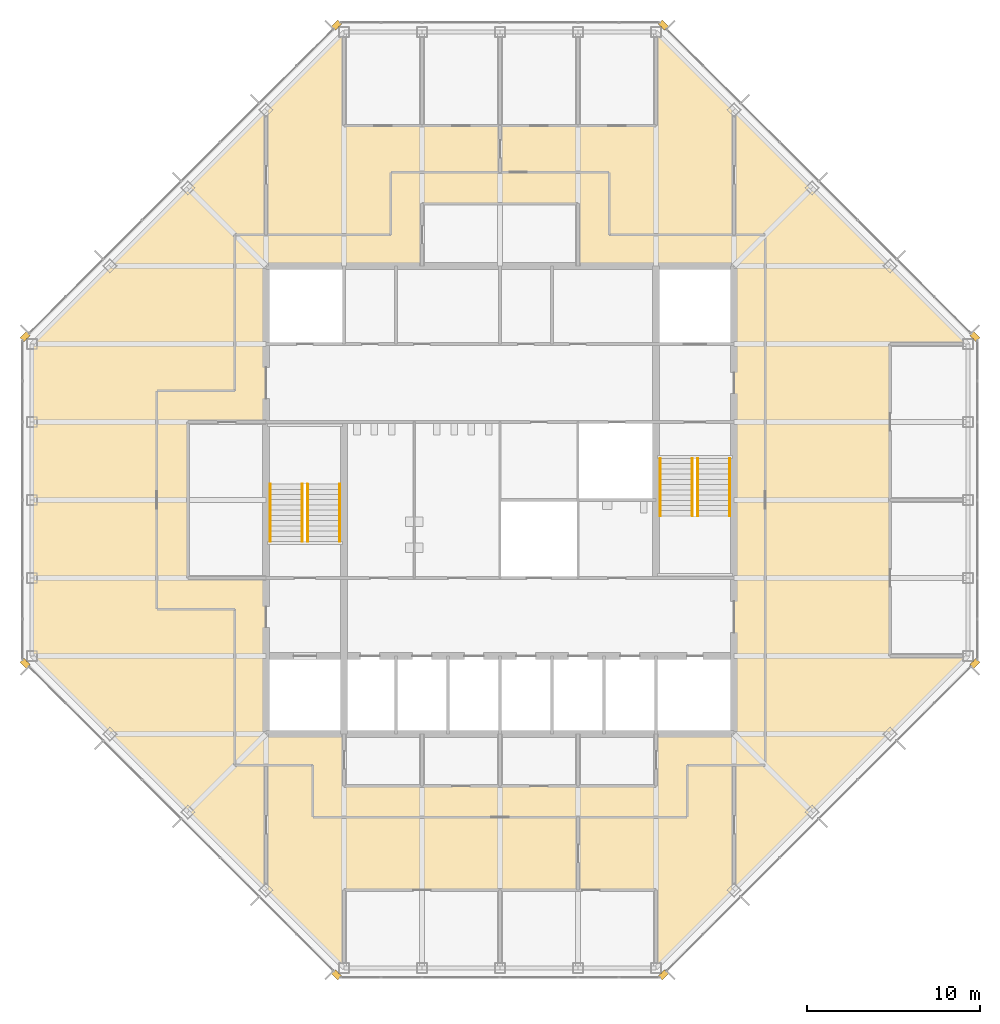
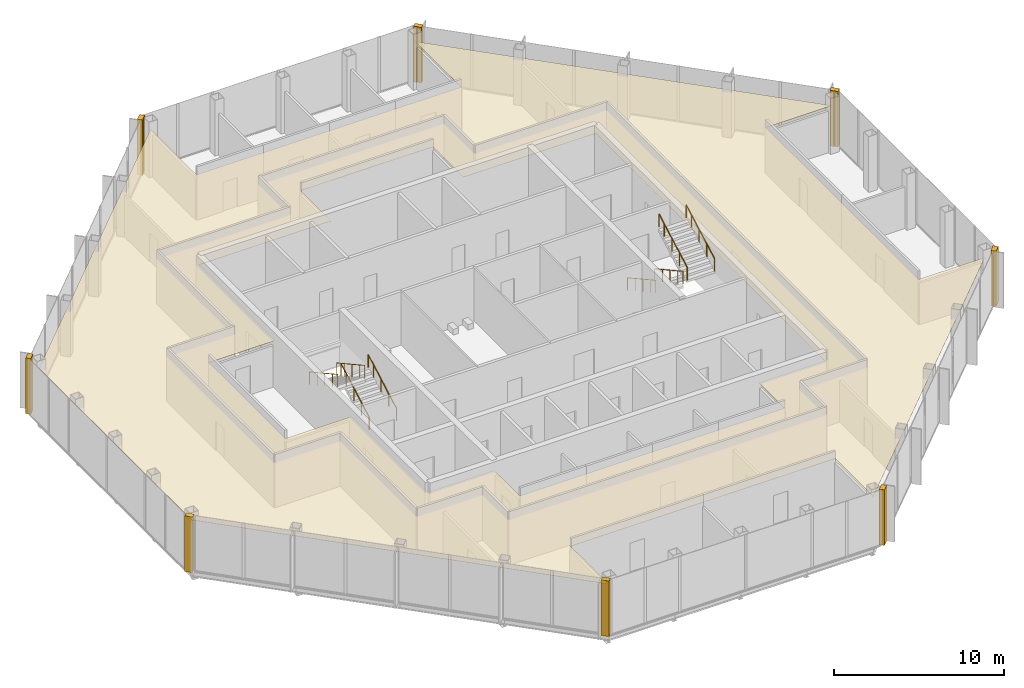
# One storey, part 13 of 14: 9 coverings, 8 railings.
"""IFC4 building model written with IfcOpenShell, lengths in metres."""

from ifc_helpers import new_model, si_unit, direction, frame, origin, origin_2d, place, context, subcontext, project, spatial, polyline, circle, outline, extrude, material, layer, layer_set, type_object, element, save


model = new_model("IFC4")

# Units and contexts
model_context = context("Model", 3, precision=1e-05, world=origin(), true_north=direction((0.0, 1.0)))
body_context = subcontext(model_context, "Body", "Model", "MODEL_VIEW")
ifc_project = project(units=[si_unit("LENGTHUNIT", "METRE"), si_unit("AREAUNIT", "SQUARE_METRE"), si_unit("VOLUMEUNIT", "CUBIC_METRE"), si_unit("PLANEANGLEUNIT", "RADIAN"), si_unit("MASSUNIT", "GRAM", prefix="KILO")], contexts=[model_context])

# Site, building, storey
site_placement = place(None, origin())
site = spatial("IfcSite", under=ifc_project, at=site_placement, CompositionType="ELEMENT")
building_placement = place(site_placement, origin())
building = spatial("IfcBuilding", under=site, at=building_placement, Name="Corais Broadcast Tower", CompositionType="ELEMENT")
storey_placement = place(building_placement, frame((0.0, 0.0, 282.60009765625)))
storey = spatial("IfcBuildingStorey", under=building, at=storey_placement, Name="L66", CompositionType="ELEMENT", Elevation=282.60009765625)

# Railings
ifc_material_1 = material(Name="Stainless steel handrail", Category="steel")
railing_type = type_object("IfcRailingType", Name="Handrail 920", PredefinedType="HANDRAIL", material=ifc_material_1)
for number, where, name in (
    (1, (17.75, 24.60009765625, 0.16650390625), "HR1 L66"),
    (2, (15.89990234375, 24.60009765625, 0.16650390625), "HR1 L66"),
):
    element("IfcRailing", number, at=place(storey_placement, frame(where)), inside=storey, type_object=railing_type, Name=name, PredefinedType="HANDRAIL", context=body_context, shape_type="SweptSolid", body=[
        extrude(circle(Radius=0.02392578125, at=origin_2d()), frame((0.0, 0.0, 0.89599609375), z_axis=(0.0, 0.875504475178, 0.483210010185), x_axis=(-1.0, 0.0, 0.0)), (0.0, 0.0, 1.0), 3.79443359375),
        extrude(circle(Radius=0.02099609375, at=origin_2d()), origin(), (0.0, 0.0, 1.0), 0.871826171875),
        extrude(circle(Radius=0.02099609375, at=origin_2d()), frame((0.0, 0.906005859375, 0.5)), (0.0, 0.0, 1.0), 0.871826171875),
        extrude(circle(Radius=0.02099609375, at=origin_2d()), frame((0.0, 1.81201171875, 1.0)), (0.0, 0.0, 1.0), 0.871826171875),
        extrude(circle(Radius=0.02099609375, at=origin_2d()), frame((0.0, 2.718017578125, 1.500244140625)), (0.0, 0.0, 1.0), 0.871826171875),
        extrude(circle(Radius=0.02099609375, at=origin_2d()), frame((0.0, 3.322021484375, 1.83349609375)), (0.0, 0.0, 1.0), 0.871826171875),
    ])
for number, where, name in (
    (3, (13.75, 27.922119140625, 2.16650390625), "HR1 L66"),
    (4, (15.60009765625, 27.922119140625, 2.16650390625), "HR1 L66"),
    (5, (36.25, 29.39990234375, 0.16650390625), "HR1 L66"),
    (6, (38.10009765625, 29.39990234375, 0.16650390625), "HR1 L66"),
):
    element("IfcRailing", number, at=place(storey_placement, frame(where)), inside=storey, type_object=railing_type, Name=name, PredefinedType="HANDRAIL", context=body_context, shape_type="SweptSolid", body=[
        extrude(circle(Radius=0.02392578125, at=origin_2d()), frame((0.0, 0.0, 0.89599609375), z_axis=(0.0, -0.875504475178, 0.483210010185), x_axis=(1.0, 0.0, 0.0)), (0.0, 0.0, 1.0), 3.79443359375),
        extrude(circle(Radius=0.02099609375, at=origin_2d()), origin(), (0.0, 0.0, 1.0), 0.871826171875),
        extrude(circle(Radius=0.02099609375, at=origin_2d()), frame((0.0, -0.906005859375, 0.5)), (0.0, 0.0, 1.0), 0.871826171875),
        extrude(circle(Radius=0.02099609375, at=origin_2d()), frame((0.0, -1.81201171875, 1.0)), (0.0, 0.0, 1.0), 0.871826171875),
        extrude(circle(Radius=0.02099609375, at=origin_2d()), frame((0.0, -2.718017578125, 1.500244140625)), (0.0, 0.0, 1.0), 0.871826171875),
        extrude(circle(Radius=0.02099609375, at=origin_2d()), frame((0.0, -3.322021484375, 1.83349609375)), (0.0, 0.0, 1.0), 0.871826171875),
    ])
for number, where, name in (
    (7, (40.25, 26.077880859375, 2.16650390625), "HR1 L66"),
    (8, (38.39990234375, 26.077880859375, 2.16650390625), "HR1 L66"),
):
    element("IfcRailing", number, at=place(storey_placement, frame(where)), inside=storey, type_object=railing_type, Name=name, PredefinedType="HANDRAIL", context=body_context, shape_type="SweptSolid", body=[
        extrude(circle(Radius=0.02392578125, at=origin_2d()), frame((0.0, 0.0, 0.89599609375), z_axis=(0.0, 0.875504475178, 0.483210010185), x_axis=(-1.0, 0.0, 0.0)), (0.0, 0.0, 1.0), 3.79443359375),
        extrude(circle(Radius=0.02099609375, at=origin_2d()), origin(), (0.0, 0.0, 1.0), 0.871826171875),
        extrude(circle(Radius=0.02099609375, at=origin_2d()), frame((0.0, 0.906005859375, 0.5)), (0.0, 0.0, 1.0), 0.871826171875),
        extrude(circle(Radius=0.02099609375, at=origin_2d()), frame((0.0, 1.81201171875, 1.0)), (0.0, 0.0, 1.0), 0.871826171875),
        extrude(circle(Radius=0.02099609375, at=origin_2d()), frame((0.0, 2.718017578125, 1.500244140625)), (0.0, 0.0, 1.0), 0.871826171875),
        extrude(circle(Radius=0.02099609375, at=origin_2d()), frame((0.0, 3.322021484375, 1.83349609375)), (0.0, 0.0, 1.0), 0.871826171875),
    ])

# Coverings
ifc_material_2 = material(Name="Granite stone cladding", Category="masonry")
ifc_layer_1 = layer(ifc_material_2, 0.324951171875)
ifc_layer_set_1 = layer_set([ifc_layer_1], Name="Granite stone cladding")
covering_type_1 = type_object("IfcCoveringType", Name="Stone corner pier cladding 500x325", PredefinedType="CLADDING", material=ifc_layer_set_1)
covering_1_placement = place(storey_placement, origin())
element("IfcCovering", 9, at=covering_1_placement, inside=storey, type_object=covering_type_1, Name="SP1 stone corner pier L66", PredefinedType="CLADDING", context=body_context, shape_type="SweptSolid", body=[
    extrude(outline(polyline([(17.860595703125, -0.461669921875), (17.72412109375, -0.324951171875), (17.675048828125, -0.324951171875), (17.675048828125, -0.27587890625), (17.507080078125, -0.108154296875), (17.277099609375, -0.337890625), (17.630859375, -0.69140625), (17.860595703125, -0.461669921875)])), origin(), (0.0, 0.0, 1.0), 4.0),
])
covering_2_placement = place(storey_placement, origin())
element("IfcCovering", 10, at=covering_2_placement, inside=storey, type_object=covering_type_1, Name="SP1 stone corner pier L66", PredefinedType="CLADDING", context=body_context, shape_type="SweptSolid", body=[
    extrude(outline(polyline([(-0.324951171875, 17.72412109375), (-0.461669921875, 17.860595703125), (-0.69140625, 17.630859375), (-0.337890625, 17.277099609375), (-0.108154296875, 17.507080078125), (-0.27587890625, 17.675048828125), (-0.324951171875, 17.675048828125), (-0.324951171875, 17.72412109375)])), origin(), (0.0, 0.0, 1.0), 4.0),
])
covering_3_placement = place(storey_placement, origin())
element("IfcCovering", 11, at=covering_3_placement, inside=storey, type_object=covering_type_1, Name="SP1 stone corner pier L66", PredefinedType="CLADDING", context=body_context, shape_type="SweptSolid", body=[
    extrude(outline(polyline([(-0.461669921875, 36.139404296875), (-0.324951171875, 36.27587890625), (-0.324951171875, 36.324951171875), (-0.27587890625, 36.324951171875), (-0.108154296875, 36.492919921875), (-0.337890625, 36.722900390625), (-0.69140625, 36.369140625), (-0.461669921875, 36.139404296875)])), origin(), (0.0, 0.0, 1.0), 4.0),
])
covering_4_placement = place(storey_placement, origin())
element("IfcCovering", 12, at=covering_4_placement, inside=storey, type_object=covering_type_1, Name="SP1 stone corner pier L66", PredefinedType="CLADDING", context=body_context, shape_type="SweptSolid", body=[
    extrude(outline(polyline([(17.72412109375, 54.324951171875), (17.860595703125, 54.461669921875), (17.630859375, 54.69140625), (17.277099609375, 54.337890625), (17.507080078125, 54.108154296875), (17.675048828125, 54.27587890625), (17.675048828125, 54.324951171875), (17.72412109375, 54.324951171875)])), origin(), (0.0, 0.0, 1.0), 4.0),
])
covering_5_placement = place(storey_placement, origin())
element("IfcCovering", 13, at=covering_5_placement, inside=storey, type_object=covering_type_1, Name="SP1 stone corner pier L66", PredefinedType="CLADDING", context=body_context, shape_type="SweptSolid", body=[
    extrude(outline(polyline([(36.139404296875, 54.461669921875), (36.27587890625, 54.324951171875), (36.324951171875, 54.324951171875), (36.324951171875, 54.27587890625), (36.492919921875, 54.108154296875), (36.722900390625, 54.337890625), (36.369140625, 54.69140625), (36.139404296875, 54.461669921875)])), origin(), (0.0, 0.0, 1.0), 4.0),
])
covering_6_placement = place(storey_placement, origin())
element("IfcCovering", 14, at=covering_6_placement, inside=storey, type_object=covering_type_1, Name="SP1 stone corner pier L66", PredefinedType="CLADDING", context=body_context, shape_type="SweptSolid", body=[
    extrude(outline(polyline([(54.324951171875, 36.27587890625), (54.461669921875, 36.139404296875), (54.69140625, 36.369140625), (54.337890625, 36.722900390625), (54.108154296875, 36.492919921875), (54.27587890625, 36.324951171875), (54.324951171875, 36.324951171875), (54.324951171875, 36.27587890625)])), origin(), (0.0, 0.0, 1.0), 4.0),
])
covering_7_placement = place(storey_placement, origin())
element("IfcCovering", 15, at=covering_7_placement, inside=storey, type_object=covering_type_1, Name="SP1 stone corner pier L66", PredefinedType="CLADDING", context=body_context, shape_type="SweptSolid", body=[
    extrude(outline(polyline([(54.461669921875, 17.860595703125), (54.324951171875, 17.72412109375), (54.324951171875, 17.675048828125), (54.27587890625, 17.675048828125), (54.108154296875, 17.507080078125), (54.337890625, 17.277099609375), (54.69140625, 17.630859375), (54.461669921875, 17.860595703125)])), origin(), (0.0, 0.0, 1.0), 4.0),
])
covering_8_placement = place(storey_placement, origin())
element("IfcCovering", 16, at=covering_8_placement, inside=storey, type_object=covering_type_1, Name="SP1 stone corner pier L66", PredefinedType="CLADDING", context=body_context, shape_type="SweptSolid", body=[
    extrude(outline(polyline([(36.27587890625, -0.324951171875), (36.139404296875, -0.461669921875), (36.369140625, -0.69140625), (36.722900390625, -0.337890625), (36.492919921875, -0.108154296875), (36.324951171875, -0.27587890625), (36.324951171875, -0.324951171875), (36.27587890625, -0.324951171875)])), origin(), (0.0, 0.0, 1.0), 4.0),
])
ifc_material_3 = material(Name="Mineral fibre ceiling tile", Category="mineral")
ifc_layer_2 = layer(ifc_material_3, 0.02001953125)
ifc_layer_set_2 = layer_set([ifc_layer_2], Name="Mineral fibre ceiling tile")
covering_type_2 = type_object("IfcCoveringType", Name="Suspended ceiling", PredefinedType="CEILING", material=ifc_layer_set_2)
covering_9_placement = place(storey_placement, frame((0.0, 0.0, 3.219970703125)))
element("IfcCovering", 17, at=covering_9_placement, inside=storey, type_object=covering_type_2, Name="CE1 ceiling L66", PredefinedType="CEILING", context=body_context, shape_type="SweptSolid", body=[
    extrude(outline(polyline([(13.5, 49.5), (18.0, 54.0), (18.0, 48.60009765625), (36.0, 48.60009765625), (36.0, 54.0), (54.0, 36.0), (49.5, 36.0), (49.5, 18.0), (54.0, 18.0), (40.500244140625, 4.500244140625), (40.49853515625, 4.49853515625), (40.498291015625, 4.498291015625), (36.0, 0.0), (36.0, 4.5), (18.0, 4.5), (18.0, 0.0), (13.501708984375, 4.498291015625), (13.499755859375, 4.500244140625), (0.0, 18.0), (0.0, 36.0), (13.5, 49.5)]), holes=[polyline([(31.5, 40.5), (31.5, 44.10009765625), (22.5, 44.10009765625), (22.5, 40.5), (13.5, 40.5), (13.5, 31.5), (9.0, 31.5), (9.0, 22.5), (13.5, 22.5), (13.5, 13.5), (18.0, 13.5), (18.0, 10.5), (36.0, 10.5), (36.0, 13.5), (40.5, 13.5), (40.5, 40.5), (31.5, 40.5)])]), origin(), (0.0, 0.0, 1.0), 0.02001953125),
])

save(model, "model.ifc")
